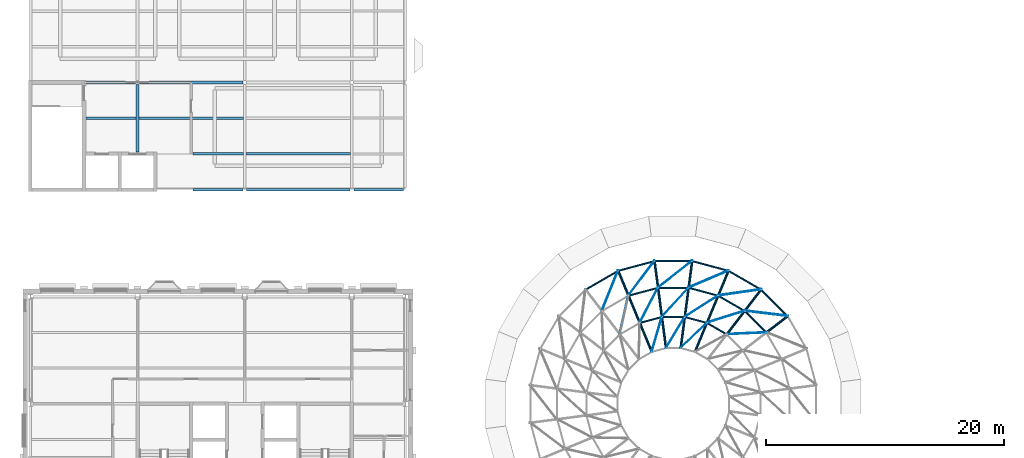
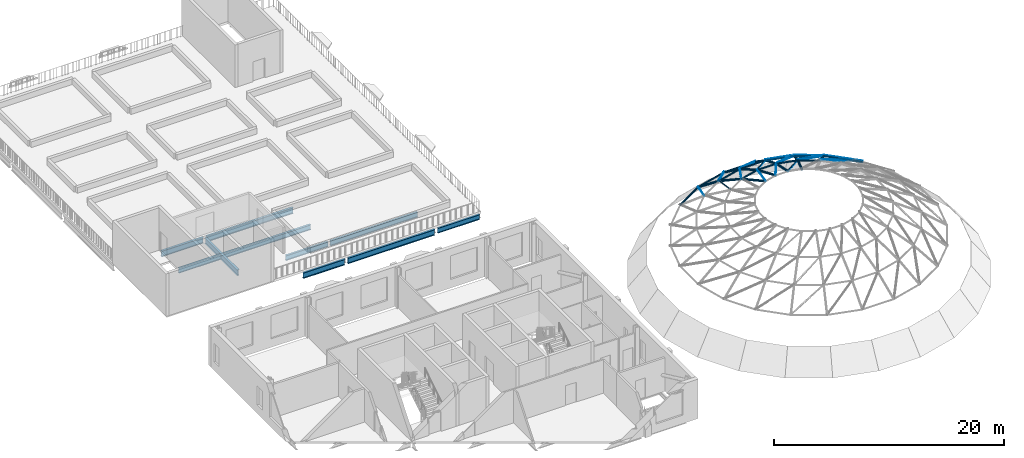
# One storey, part 6 of 33: 44 members, 25 beams.
"""IFC4 building model written with IfcOpenShell, lengths in metres."""

from ifc_helpers import new_model, si_unit, direction, frame, origin, origin_2d, place, context, subcontext, project, spatial, rectangle, circle, hollow_circle, i_section, extrude, material, material_profile, profile_set, type_object, element, save


model = new_model("IFC4")

# Units and contexts
model_context = context("Model", 3, precision=1e-05, world=origin(), true_north=direction((0.0, 1.0)))
body_context = subcontext(model_context, "Body", "Model", "MODEL_VIEW")
ifc_project = project(units=[si_unit("LENGTHUNIT", "METRE"), si_unit("AREAUNIT", "SQUARE_METRE"), si_unit("VOLUMEUNIT", "CUBIC_METRE"), si_unit("PLANEANGLEUNIT", "RADIAN"), si_unit("MASSUNIT", "GRAM", prefix="KILO")], contexts=[model_context])

# Site, building, storey
site_placement = place(None, origin())
site = spatial("IfcSite", under=ifc_project, at=site_placement, CompositionType="ELEMENT")
building_placement = place(site_placement, origin())
building = spatial("IfcBuilding", under=site, at=building_placement, Name="Hortulan Conservatory and Botanical Research Centre", CompositionType="ELEMENT")
storey_placement = place(building_placement, frame((0.0, 0.0, 19.199951171875)))
storey = spatial("IfcBuildingStorey", under=building, at=storey_placement, Name="L04", CompositionType="ELEMENT", Elevation=19.199951171875)

# Members
ifc_material_1 = material(Name="Steel Grade 300PLUS (AS/NZS 3679.1, 280 MPa minimum yield)", Category="steel")
ifc_material_profile_1 = material_profile(ifc_material_1, circle(Radius=0.011962890625, at=origin_2d()), Name="24 dia rod")
ifc_profile_set_1 = profile_set([ifc_material_profile_1], Name="Steel Grade 300PLUS (AS/NZS 3679.1, 280 MPa minimum yield)")
member_type_1 = type_object("IfcMemberType", Name="Dome Diagonal Rod 24 dia rod", PredefinedType="BRACE", material=ifc_profile_set_1)
for number, where, z_axis, x_axis, name in (
    (1, (63.599609375, 25.365966796875, 0.4365234375), (-0.907612681424, 0.110344688701, 0.405047244398), (-0.120688177707, -0.992690467246, 0.0), "Dome diagonal rod row 5 panel 03"),
    (2, (61.365966796875, 27.599609375, 0.4365234375), (-0.905233473745, -0.128389723869, 0.40505362215), (0.140425152108, -0.990091297131, 0.0), "Dome diagonal rod row 5 panel 04"),
):
    element("IfcMember", number, at=place(storey_placement, frame(where, z_axis=z_axis, x_axis=x_axis)), inside=storey, type_object=member_type_1, Name=name, PredefinedType="BRACE", context=body_context, shape_type="SweptSolid", body=[
        extrude(circle(Radius=0.011962890625, at=origin_2d()), origin(), (0.0, 0.0, 1.0), 3.97802734375),
    ])
for number, where, z_axis, x_axis, name in (
    (3, (58.630615234375, 29.178955078125, 0.4365234375), (-0.841182919809, -0.35827138585, 0.405034454712), (0.39185259607, -0.920028012048, 0.0), "Dome diagonal rod row 5 panel 05"),
    (4, (55.579345703125, 29.99658203125, 0.4365234375), (-0.719786759049, -0.563788980765, 0.405029636774), (0.616632164217, -0.787251404605, 0.0), "Dome diagonal rod row 5 panel 06"),
):
    element("IfcMember", number, at=place(storey_placement, frame(where, z_axis=z_axis, x_axis=x_axis)), inside=storey, type_object=member_type_1, Name=name, PredefinedType="BRACE", context=body_context, shape_type="SweptSolid", body=[
        extrude(circle(Radius=0.011962890625, at=origin_2d()), origin(), (0.0, 0.0, 1.0), 3.978271484375),
    ])
member_1_placement = place(storey_placement, frame((52.420654296875, 29.99658203125, 0.4365234375), z_axis=(-0.549350926375, -0.730872378589, 0.405017439016), x_axis=(0.799371340181, -0.600837299522, 0.0)))
element("IfcMember", 5, at=member_1_placement, inside=storey, type_object=member_type_1, Name="Dome diagonal rod row 5 panel 07", PredefinedType="BRACE", context=body_context, shape_type="SweptSolid", body=[
    extrude(circle(Radius=0.011962890625, at=origin_2d()), origin(), (0.0, 0.0, 1.0), 3.978515625),
])
member_2_placement = place(storey_placement, frame((49.369384765625, 29.178955078125, 0.4365234375), z_axis=(-0.341465062104, -0.848139316729, 0.405044825645), x_axis=(0.927641101877, -0.373472871986, 0.0)))
element("IfcMember", 6, at=member_2_placement, inside=storey, type_object=member_type_1, Name="Dome diagonal rod row 5 panel 08", PredefinedType="BRACE", context=body_context, shape_type="SweptSolid", body=[
    extrude(circle(Radius=0.011962890625, at=origin_2d()), origin(), (0.0, 0.0, 1.0), 3.97802734375),
])
member_3_placement = place(storey_placement, frame((61.804931640625, 23.989013671875, 2.0478515625), z_axis=(-0.933905695873, -0.041183552662, 0.355139502458), x_axis=(0.044055376623, -0.999029090563, 0.0)))
element("IfcMember", 7, at=member_3_placement, inside=storey, type_object=member_type_1, Name="Dome diagonal rod row 6 panel 03", PredefinedType="BRACE", context=body_context, shape_type="SweptSolid", body=[
    extrude(circle(Radius=0.011962890625, at=origin_2d()), origin(), (0.0, 0.0, 1.0), 3.556884765625),
])
member_4_placement = place(storey_placement, frame((59.989013671875, 25.804931640625, 2.0478515625), z_axis=(-0.891438110502, -0.281474260176, 0.355120171215), x_axis=(0.301099743086, -0.953592651353, 0.0)))
element("IfcMember", 8, at=member_4_placement, inside=storey, type_object=member_type_1, Name="Dome diagonal rod row 6 panel 04", PredefinedType="BRACE", context=body_context, shape_type="SweptSolid", body=[
    extrude(circle(Radius=0.011962890625, at=origin_2d()), origin(), (0.0, 0.0, 1.0), 3.55712890625),
])
member_5_placement = place(storey_placement, frame((57.764892578125, 27.0888671875, 2.0478515625), z_axis=(-0.788260512259, -0.502512644571, 0.355142797843), x_axis=(0.537554728332, -0.8432288622, 0.0)))
element("IfcMember", 9, at=member_5_placement, inside=storey, type_object=member_type_1, Name="Dome diagonal rod row 6 panel 05", PredefinedType="BRACE", context=body_context, shape_type="SweptSolid", body=[
    extrude(circle(Radius=0.011962890625, at=origin_2d()), origin(), (0.0, 0.0, 1.0), 3.556884765625),
])
member_6_placement = place(storey_placement, frame((55.2841796875, 27.753662109375, 2.0478515625), z_axis=(-0.631299747898, -0.689439455028, 0.355153299513), x_axis=(0.737519791221, -0.675325519699, 0.0)))
element("IfcMember", 10, at=member_6_placement, inside=storey, type_object=member_type_1, Name="Dome diagonal rod row 6 panel 06", PredefinedType="BRACE", context=body_context, shape_type="SweptSolid", body=[
    extrude(circle(Radius=0.011962890625, at=origin_2d()), origin(), (0.0, 0.0, 1.0), 3.556640625),
])
member_7_placement = place(storey_placement, frame((52.7158203125, 27.753662109375, 2.0478515625), z_axis=(-0.431268825249, -0.82938424566, 0.355146411243), x_axis=(0.887221610025, -0.461343488851, 0.0)))
element("IfcMember", 11, at=member_7_placement, inside=storey, type_object=member_type_1, Name="Dome diagonal rod row 6 panel 07", PredefinedType="BRACE", context=body_context, shape_type="SweptSolid", body=[
    extrude(circle(Radius=0.011962890625, at=origin_2d()), origin(), (0.0, 0.0, 1.0), 3.556884765625),
])
member_8_placement = place(storey_placement, frame((56.818115234375, 24.8037109375, 3.31103515625), z_axis=(-0.692711127474, -0.664732116111, 0.279790113627), x_axis=(0.692385153858, -0.721528099742, 0.0)))
element("IfcMember", 12, at=member_8_placement, inside=storey, type_object=member_type_1, Name="Dome diagonal rod row 7 panel 05", PredefinedType="BRACE", context=body_context, shape_type="SweptSolid", body=[
    extrude(circle(Radius=0.011962890625, at=origin_2d()), origin(), (0.0, 0.0, 1.0), 3.17626953125),
])
for number, where, z_axis, x_axis, name in (
    (13, (54.961181640625, 25.301513671875, 3.31103515625), (-0.497102448297, -0.821356503549, 0.279754624583), (0.855515942955, -0.517776468516, 0.0), "Dome diagonal rod row 7 panel 06"),
    (14, (53.038818359375, 25.301513671875, 3.31103515625), (-0.267626173194, -0.922011365203, 0.279770037457), (0.960361437654, -0.278757796425, 0.0), "Dome diagonal rod row 7 panel 07"),
):
    element("IfcMember", number, at=place(storey_placement, frame(where, z_axis=z_axis, x_axis=x_axis)), inside=storey, type_object=member_type_1, Name=name, PredefinedType="BRACE", context=body_context, shape_type="SweptSolid", body=[
        extrude(circle(Radius=0.011962890625, at=origin_2d()), origin(), (0.0, 0.0, 1.0), 3.176513671875),
    ])
ifc_material_2 = material(Name="Bronze-finished aluminium", Category="aluminium")
ifc_material_profile_2 = material_profile(ifc_material_2, rectangle(XDim=0.050048828125, YDim=0.050048828125, at=origin_2d()), Name="Square bar 50x50")
ifc_profile_set_2 = profile_set([ifc_material_profile_2], Name="Bronze-finished aluminium")
member_type_2 = type_object("IfcMemberType", Name="Dome Glazing Bar 50x50", PredefinedType="MEMBER", material=ifc_profile_set_2)
for number, where, z_axis, x_axis, name in (
    (15, (63.63525390625, 25.393310546875, 0.49072265625), (-0.907600541437, 0.110362367104, 0.405069629953), (-0.120708822591, -0.992687957089, 0.0), "Dome glazing bar row 5 panel 03"),
    (16, (61.393310546875, 27.63525390625, 0.49072265625), (-0.905230422477, -0.128340334804, 0.405076092463), (0.140372661683, -0.990098740456, 0.0), "Dome glazing bar row 5 panel 04"),
):
    element("IfcMember", number, at=place(storey_placement, frame(where, z_axis=z_axis, x_axis=x_axis)), inside=storey, type_object=member_type_2, Name=name, PredefinedType="MEMBER", context=body_context, shape_type="SweptSolid", body=[
        extrude(rectangle(XDim=0.050048828125, YDim=0.050048828125, at=origin_2d()), origin(), (0.0, 0.0, 1.0), 3.992919921875),
    ])
member_9_placement = place(storey_placement, frame((58.647705078125, 29.220458984375, 0.49072265625), z_axis=(-0.841168557363, -0.358282290024, 0.405054636759), x_axis=(0.391868354359, -0.920021300217, 0.0)))
element("IfcMember", 17, at=member_9_placement, inside=storey, type_object=member_type_2, Name="Dome glazing bar row 5 panel 05", PredefinedType="MEMBER", context=body_context, shape_type="SweptSolid", body=[
    extrude(rectangle(XDim=0.050048828125, YDim=0.050048828125, at=origin_2d()), origin(), (0.0, 0.0, 1.0), 3.9931640625),
])
for number, where, z_axis, x_axis, name in (
    (18, (55.585205078125, 30.041015625, 0.49072265625), (-0.719764512517, -0.563791077974, 0.405066250036), (0.616645397645, -0.787241039049, 0.0), "Dome glazing bar row 5 panel 06"),
    (19, (52.414794921875, 30.041015625, 0.49072265625), (-0.549364003386, -0.730834494432, 0.405068060371), (0.799349511516, -0.600866339912, 0.0), "Dome glazing bar row 5 panel 07"),
    (20, (49.352294921875, 29.220458984375, 0.49072265625), (-0.341484848384, -0.848117516908, 0.405073790608), (0.927630278138, -0.373499755129, 0.0), "Dome glazing bar row 5 panel 08"),
):
    element("IfcMember", number, at=place(storey_placement, frame(where, z_axis=z_axis, x_axis=x_axis)), inside=storey, type_object=member_type_2, Name=name, PredefinedType="MEMBER", context=body_context, shape_type="SweptSolid", body=[
        extrude(rectangle(XDim=0.050048828125, YDim=0.050048828125, at=origin_2d()), origin(), (0.0, 0.0, 1.0), 3.992919921875),
    ])
for number, where, z_axis, x_axis, name in (
    (21, (61.8330078125, 24.010498046875, 2.10595703125), (-0.933875116682, -0.041171206169, 0.35522133695), (0.044043634142, -0.999029608316, 0.0), "Dome glazing bar row 6 panel 03"),
    (22, (60.010498046875, 25.8330078125, 2.10595703125), (-0.891410841229, -0.281429769193, 0.355223869061), (0.301064838833, -0.953603671773, 0.0), "Dome glazing bar row 6 panel 04"),
    (23, (57.7783203125, 27.12158203125, 2.10595703125), (-0.788207885836, -0.502538095021, 0.355223579959), (0.537599605179, -0.843200251726, 0.0), "Dome glazing bar row 6 panel 05"),
    (24, (55.288818359375, 27.788818359375, 2.10595703125), (-0.631249139426, -0.689449899735, 0.35522297185), (0.737551851159, -0.675290505525, 0.0), "Dome glazing bar row 6 panel 06"),
):
    element("IfcMember", number, at=place(storey_placement, frame(where, z_axis=z_axis, x_axis=x_axis)), inside=storey, type_object=member_type_2, Name=name, PredefinedType="MEMBER", context=body_context, shape_type="SweptSolid", body=[
        extrude(rectangle(XDim=0.050048828125, YDim=0.050048828125, at=origin_2d()), origin(), (0.0, 0.0, 1.0), 3.56982421875),
    ])
for number, where, z_axis, x_axis, name in (
    (25, (52.711181640625, 27.788818359375, 2.10595703125), (-0.431287858806, -0.829336596238, 0.35523456052), (0.887202425758, -0.461380380738, 0.0), "Dome glazing bar row 6 panel 07"),
    (26, (50.2216796875, 27.12158203125, 2.10595703125), (-0.20196352053, -0.912700027592, 0.355231468214), (0.976381199364, -0.216054978023, 0.0), "Dome glazing bar row 6 panel 08"),
):
    element("IfcMember", number, at=place(storey_placement, frame(where, z_axis=z_axis, x_axis=x_axis)), inside=storey, type_object=member_type_2, Name=name, PredefinedType="MEMBER", context=body_context, shape_type="SweptSolid", body=[
        extrude(rectangle(XDim=0.050048828125, YDim=0.050048828125, at=origin_2d()), origin(), (0.0, 0.0, 1.0), 3.569580078125),
    ])
member_10_placement = place(storey_placement, frame((56.828125, 24.82763671875, 3.37255859375), z_axis=(-0.692749811992, -0.664715045164, 0.279734886488), x_axis=(0.692355767093, -0.721556298409, 0.0)))
element("IfcMember", 27, at=member_10_placement, inside=storey, type_object=member_type_2, Name="Dome glazing bar row 7 panel 05", PredefinedType="MEMBER", context=body_context, shape_type="SweptSolid", body=[
    extrude(rectangle(XDim=0.050048828125, YDim=0.050048828125, at=origin_2d()), origin(), (0.0, 0.0, 1.0), 3.187255859375),
])
member_11_placement = place(storey_placement, frame((54.964599609375, 25.326904296875, 3.37255859375), z_axis=(-0.497175127803, -0.821323200651, 0.279723242449), x_axis=(0.85547310737, -0.51784723864, 0.0)))
element("IfcMember", 28, at=member_11_placement, inside=storey, type_object=member_type_2, Name="Dome glazing bar row 7 panel 06", PredefinedType="MEMBER", context=body_context, shape_type="SweptSolid", body=[
    extrude(rectangle(XDim=0.050048828125, YDim=0.050048828125, at=origin_2d()), origin(), (0.0, 0.0, 1.0), 3.1875),
])
member_12_placement = place(storey_placement, frame((53.035400390625, 25.326904296875, 3.37255859375), z_axis=(-0.267635755539, -0.922018199606, 0.279738345515), x_axis=(0.960359318837, -0.278765095955, 0.0)))
element("IfcMember", 29, at=member_12_placement, inside=storey, type_object=member_type_2, Name="Dome glazing bar row 7 panel 07", PredefinedType="MEMBER", context=body_context, shape_type="SweptSolid", body=[
    extrude(rectangle(XDim=0.050048828125, YDim=0.050048828125, at=origin_2d()), origin(), (0.0, 0.0, 1.0), 3.187255859375),
])

# Beams
ifc_material_3 = material(Name="Steel Grade C350L0 (350 MPa, AS/NZS 1163)", Category="steel")
ifc_material_profile_3 = material_profile(ifc_material_3, hollow_circle(Radius=0.109619140625, WallThickness=0.00830078125, at=origin_2d()), Name="219.1x8.2CHS")
ifc_profile_set_3 = profile_set([ifc_material_profile_3], Name="Steel Grade C350L0 (350 MPa, AS/NZS 1163)")
beam_type_1 = type_object("IfcBeamType", Name="Dome Rib 219.1x8.2 CHS", PredefinedType="BEAM", material=ifc_profile_set_3)
for number, where, z_axis, x_axis, name in (
    (30, (63.599609375, 25.365966796875, 0.4365234375), (-0.646201366495, -0.495793185558, 0.580183515014), (0.608719263835, -0.793385692987, 0.0), "Dome rib 03 segment 5"),
    (31, (61.365966796875, 27.599609375, 0.4365234375), (-0.495793185558, -0.646201366495, 0.580183515014), (0.793385692987, -0.608719263835, 0.0), "Dome rib 04 segment 5"),
    (32, (59.989013671875, 25.804931640625, 2.0478515625), (-0.542171956181, -0.706546398149, 0.454798589702), (0.79334258291, -0.608775448045, 0.0), "Dome rib 04 segment 6"),
):
    element("IfcBeam", number, at=place(storey_placement, frame(where, z_axis=z_axis, x_axis=x_axis)), inside=storey, type_object=beam_type_1, Name=name, PredefinedType="BEAM", context=body_context, shape_type="SweptSolid", body=[
        extrude(hollow_circle(Radius=0.109619140625, WallThickness=0.00830078125, at=origin_2d()), origin(), (0.0, 0.0, 1.0), 2.77734375),
    ])
beam_1_placement = place(storey_placement, frame((58.630615234375, 29.178955078125, 0.4365234375), z_axis=(-0.311695059025, -0.752515905335, 0.580143087865), x_axis=(0.923882672892, -0.382675850727, 0.0)))
element("IfcBeam", 33, at=beam_1_placement, inside=storey, type_object=beam_type_1, Name="Dome rib 05 segment 5", PredefinedType="BEAM", context=body_context, shape_type="SweptSolid", body=[
    extrude(hollow_circle(Radius=0.109619140625, WallThickness=0.00830078125, at=origin_2d()), origin(), (0.0, 0.0, 1.0), 2.777587890625),
])
beam_2_placement = place(storey_placement, frame((57.764892578125, 27.0888671875, 2.0478515625), z_axis=(-0.340886017411, -0.822767695454, 0.45480769832), x_axis=(0.923845991708, -0.382764396992, 0.0)))
element("IfcBeam", 34, at=beam_2_placement, inside=storey, type_object=beam_type_1, Name="Dome rib 05 segment 6", PredefinedType="BEAM", context=body_context, shape_type="SweptSolid", body=[
    extrude(hollow_circle(Radius=0.109619140625, WallThickness=0.00830078125, at=origin_2d()), origin(), (0.0, 0.0, 1.0), 2.77734375),
])
beam_3_placement = place(storey_placement, frame((56.818115234375, 24.8037109375, 3.31103515625), z_axis=(-0.362537962993, -0.875312923744, 0.319989860644), x_axis=(0.923890175593, -0.382657736682, 0.0)))
element("IfcBeam", 35, at=beam_3_placement, inside=storey, type_object=beam_type_1, Name="Dome rib 05 segment 7", PredefinedType="BEAM", context=body_context, shape_type="SweptSolid", body=[
    extrude(hollow_circle(Radius=0.109619140625, WallThickness=0.00830078125, at=origin_2d()), origin(), (0.0, 0.0, 1.0), 2.777099609375),
])
for number, where, z_axis, x_axis, name in (
    (36, (55.579345703125, 29.99658203125, 0.4365234375), (-0.106272563533, -0.807548421154, 0.580147989509), (0.991451724101, -0.130474054037, 0.0), "Dome rib 06 segment 5"),
    (37, (55.2841796875, 27.753662109375, 2.0478515625), (-0.116302337102, -0.882948355144, 0.454836199673), (0.991436143334, -0.130592395224, 0.0), "Dome rib 06 segment 6"),
):
    element("IfcBeam", number, at=place(storey_placement, frame(where, z_axis=z_axis, x_axis=x_axis)), inside=storey, type_object=beam_type_1, Name=name, PredefinedType="BEAM", context=body_context, shape_type="SweptSolid", body=[
        extrude(hollow_circle(Radius=0.109619140625, WallThickness=0.00830078125, at=origin_2d()), origin(), (0.0, 0.0, 1.0), 2.77734375),
    ])
beam_4_placement = place(storey_placement, frame((54.961181640625, 25.301513671875, 3.31103515625), z_axis=(-0.123581580262, -0.939343064194, 0.319940933252), x_axis=(0.991456505766, -0.130437713774, 0.0)))
element("IfcBeam", 38, at=beam_4_placement, inside=storey, type_object=beam_type_1, Name="Dome rib 06 segment 7", PredefinedType="BEAM", context=body_context, shape_type="SweptSolid", body=[
    extrude(hollow_circle(Radius=0.109619140625, WallThickness=0.00830078125, at=origin_2d()), origin(), (0.0, 0.0, 1.0), 2.777587890625),
])
for number, where, z_axis, x_axis, name in (
    (39, (52.420654296875, 29.99658203125, 0.4365234375), (0.106272563533, -0.807548421154, 0.580147989509), (0.991451724101, 0.130474054037, 0.0), "Dome rib 07 segment 5"),
    (40, (52.7158203125, 27.753662109375, 2.0478515625), (0.116302337102, -0.882948355144, 0.454836199673), (0.991436143334, 0.130592395224, 0.0), "Dome rib 07 segment 6"),
):
    element("IfcBeam", number, at=place(storey_placement, frame(where, z_axis=z_axis, x_axis=x_axis)), inside=storey, type_object=beam_type_1, Name=name, PredefinedType="BEAM", context=body_context, shape_type="SweptSolid", body=[
        extrude(hollow_circle(Radius=0.109619140625, WallThickness=0.00830078125, at=origin_2d()), origin(), (0.0, 0.0, 1.0), 2.77734375),
    ])
for number, where, z_axis, x_axis, name in (
    (41, (53.038818359375, 25.301513671875, 3.31103515625), (0.123581580262, -0.939343064194, 0.319940933252), (0.991456505766, 0.130437713774, 0.0), "Dome rib 07 segment 7"),
    (42, (49.369384765625, 29.178955078125, 0.4365234375), (0.311695059025, -0.752515905335, 0.580143087865), (0.923882672892, 0.382675850727, 0.0), "Dome rib 08 segment 5"),
):
    element("IfcBeam", number, at=place(storey_placement, frame(where, z_axis=z_axis, x_axis=x_axis)), inside=storey, type_object=beam_type_1, Name=name, PredefinedType="BEAM", context=body_context, shape_type="SweptSolid", body=[
        extrude(hollow_circle(Radius=0.109619140625, WallThickness=0.00830078125, at=origin_2d()), origin(), (0.0, 0.0, 1.0), 2.777587890625),
    ])
beam_5_placement = place(storey_placement, frame((50.235107421875, 27.0888671875, 2.0478515625), z_axis=(0.340886017411, -0.822767695454, 0.45480769832), x_axis=(0.923845991708, 0.382764396992, 0.0)))
element("IfcBeam", 43, at=beam_5_placement, inside=storey, type_object=beam_type_1, Name="Dome rib 08 segment 6", PredefinedType="BEAM", context=body_context, shape_type="SweptSolid", body=[
    extrude(hollow_circle(Radius=0.109619140625, WallThickness=0.00830078125, at=origin_2d()), origin(), (0.0, 0.0, 1.0), 2.77734375),
])
beam_6_placement = place(storey_placement, frame((51.181884765625, 24.8037109375, 3.31103515625), z_axis=(0.362537962993, -0.875312923744, 0.319989860644), x_axis=(0.923890175593, 0.382657736682, 0.0)))
element("IfcBeam", 44, at=beam_6_placement, inside=storey, type_object=beam_type_1, Name="Dome rib 08 segment 7", PredefinedType="BEAM", context=body_context, shape_type="SweptSolid", body=[
    extrude(hollow_circle(Radius=0.109619140625, WallThickness=0.00830078125, at=origin_2d()), origin(), (0.0, 0.0, 1.0), 2.777099609375),
])

# Members
ifc_material_profile_4 = material_profile(ifc_material_3, hollow_circle(Radius=0.084228515625, WallThickness=0.00634765625, at=origin_2d()), Name="168.3x6.4CHS")
ifc_profile_set_4 = profile_set([ifc_material_profile_4], Name="Steel Grade C350L0 (350 MPa, AS/NZS 1163)")
member_type_3 = type_object("IfcMemberType", Name="Dome Ring 168.3x6.4 CHS", PredefinedType="PURLIN", material=ifc_profile_set_4)
member_13_placement = place(storey_placement, frame((63.599609375, 25.365966796875, 0.4365234375), z_axis=(-0.707106781187, 0.707106781187, 0.0), x_axis=(-0.707106781187, -0.707106781187, 0.0)))
element("IfcMember", 45, at=member_13_placement, inside=storey, type_object=member_type_3, Name="Dome ring 4 chord 03", PredefinedType="PURLIN", context=body_context, shape_type="SweptSolid", body=[
    extrude(hollow_circle(Radius=0.084228515625, WallThickness=0.00634765625, at=origin_2d()), origin(), (0.0, 0.0, 1.0), 3.158935546875),
])
member_14_placement = place(storey_placement, frame((61.365966796875, 27.599609375, 0.4365234375), z_axis=(-0.866013100591, 0.500021309151, 0.0), x_axis=(-0.500021309151, -0.866013100591, 0.0)))
element("IfcMember", 46, at=member_14_placement, inside=storey, type_object=member_type_3, Name="Dome ring 4 chord 04", PredefinedType="PURLIN", context=body_context, shape_type="SweptSolid", body=[
    extrude(hollow_circle(Radius=0.084228515625, WallThickness=0.00634765625, at=origin_2d()), origin(), (0.0, 0.0, 1.0), 3.158447265625),
])
member_15_placement = place(storey_placement, frame((58.630615234375, 29.178955078125, 0.4365234375), z_axis=(-0.965922522362, 0.258831375211, 0.0), x_axis=(-0.258831375211, -0.965922522362, 0.0)))
element("IfcMember", 47, at=member_15_placement, inside=storey, type_object=member_type_3, Name="Dome ring 4 chord 05", PredefinedType="PURLIN", context=body_context, shape_type="SweptSolid", body=[
    extrude(hollow_circle(Radius=0.084228515625, WallThickness=0.00634765625, at=origin_2d()), origin(), (0.0, 0.0, 1.0), 3.158935546875),
])
member_16_placement = place(storey_placement, frame((55.579345703125, 29.99658203125, 0.4365234375), z_axis=(-1.0, 0.0, 0.0), x_axis=(0.0, -1.0, 0.0)))
element("IfcMember", 48, at=member_16_placement, inside=storey, type_object=member_type_3, Name="Dome ring 4 chord 06", PredefinedType="PURLIN", context=body_context, shape_type="SweptSolid", body=[
    extrude(hollow_circle(Radius=0.084228515625, WallThickness=0.00634765625, at=origin_2d()), origin(), (0.0, 0.0, 1.0), 3.15869140625),
])
member_17_placement = place(storey_placement, frame((52.420654296875, 29.99658203125, 0.4365234375), z_axis=(-0.965922522362, -0.258831375211, 0.0), x_axis=(0.258831375211, -0.965922522362, 0.0)))
element("IfcMember", 49, at=member_17_placement, inside=storey, type_object=member_type_3, Name="Dome ring 4 chord 07", PredefinedType="PURLIN", context=body_context, shape_type="SweptSolid", body=[
    extrude(hollow_circle(Radius=0.084228515625, WallThickness=0.00634765625, at=origin_2d()), origin(), (0.0, 0.0, 1.0), 3.158935546875),
])
member_18_placement = place(storey_placement, frame((49.369384765625, 29.178955078125, 0.4365234375), z_axis=(-0.866013100591, -0.500021309151, 0.0), x_axis=(0.500021309151, -0.866013100591, 0.0)))
element("IfcMember", 50, at=member_18_placement, inside=storey, type_object=member_type_3, Name="Dome ring 4 chord 08", PredefinedType="PURLIN", context=body_context, shape_type="SweptSolid", body=[
    extrude(hollow_circle(Radius=0.084228515625, WallThickness=0.00634765625, at=origin_2d()), origin(), (0.0, 0.0, 1.0), 3.158447265625),
])
for number, where, z_axis, x_axis, name in (
    (51, (61.804931640625, 23.989013671875, 2.0478515625), (-0.707106781187, 0.707106781187, 0.0), (-0.707106781187, -0.707106781187, 0.0), "Dome ring 5 chord 03"),
    (52, (59.989013671875, 25.804931640625, 2.0478515625), (-0.866052610505, 0.499952873616, 0.0), (-0.499952873616, -0.866052610505, 0.0), "Dome ring 5 chord 04"),
):
    element("IfcMember", number, at=place(storey_placement, frame(where, z_axis=z_axis, x_axis=x_axis)), inside=storey, type_object=member_type_3, Name=name, PredefinedType="PURLIN", context=body_context, shape_type="SweptSolid", body=[
        extrude(hollow_circle(Radius=0.084228515625, WallThickness=0.00634765625, at=origin_2d()), origin(), (0.0, 0.0, 1.0), 2.568115234375),
    ])
for number, where, z_axis, x_axis, name in (
    (53, (57.764892578125, 27.0888671875, 2.0478515625), (-0.965917074027, 0.258851706779, 0.0), (-0.258851706779, -0.965917074027, 0.0), "Dome ring 5 chord 05"),
    (54, (55.2841796875, 27.753662109375, 2.0478515625), (-1.0, 0.0, 0.0), (0.0, -1.0, 0.0), "Dome ring 5 chord 06"),
    (55, (52.7158203125, 27.753662109375, 2.0478515625), (-0.965917074027, -0.258851706779, 0.0), (0.258851706779, -0.965917074027, 0.0), "Dome ring 5 chord 07"),
):
    element("IfcMember", number, at=place(storey_placement, frame(where, z_axis=z_axis, x_axis=x_axis)), inside=storey, type_object=member_type_3, Name=name, PredefinedType="PURLIN", context=body_context, shape_type="SweptSolid", body=[
        extrude(hollow_circle(Radius=0.084228515625, WallThickness=0.00634765625, at=origin_2d()), origin(), (0.0, 0.0, 1.0), 2.568359375),
    ])
for number, where, z_axis, x_axis, name in (
    (56, (58.483154296875, 23.842529296875, 3.31103515625), (-0.866054481515, 0.499949632511, 0.0), (-0.499949632511, -0.866054481515, 0.0), "Dome ring 6 chord 04"),
    (57, (56.818115234375, 24.8037109375, 3.31103515625), (-0.965894755949, 0.258934973361, 0.0), (-0.258934973361, -0.965894755949, 0.0), "Dome ring 6 chord 05"),
):
    element("IfcMember", number, at=place(storey_placement, frame(where, z_axis=z_axis, x_axis=x_axis)), inside=storey, type_object=member_type_3, Name=name, PredefinedType="PURLIN", context=body_context, shape_type="SweptSolid", body=[
        extrude(hollow_circle(Radius=0.084228515625, WallThickness=0.00634765625, at=origin_2d()), origin(), (0.0, 0.0, 1.0), 1.922607421875),
    ])
member_19_placement = place(storey_placement, frame((54.961181640625, 25.301513671875, 3.31103515625), z_axis=(-1.0, 0.0, 0.0), x_axis=(0.0, -1.0, 0.0)))
element("IfcMember", 58, at=member_19_placement, inside=storey, type_object=member_type_3, Name="Dome ring 6 chord 06", PredefinedType="PURLIN", context=body_context, shape_type="SweptSolid", body=[
    extrude(hollow_circle(Radius=0.084228515625, WallThickness=0.00634765625, at=origin_2d()), origin(), (0.0, 0.0, 1.0), 1.92236328125),
])
member_20_placement = place(storey_placement, frame((53.038818359375, 25.301513671875, 3.31103515625), z_axis=(-0.965894755949, -0.258934973361, 0.0), x_axis=(0.258934973361, -0.965894755949, 0.0)))
element("IfcMember", 59, at=member_20_placement, inside=storey, type_object=member_type_3, Name="Dome ring 6 chord 07", PredefinedType="PURLIN", context=body_context, shape_type="SweptSolid", body=[
    extrude(hollow_circle(Radius=0.084228515625, WallThickness=0.00634765625, at=origin_2d()), origin(), (0.0, 0.0, 1.0), 1.922607421875),
])

# Beams
ifc_material_profile_5 = material_profile(ifc_material_1, i_section(OverallWidth=0.208984375, OverallDepth=0.528076171875, WebThickness=0.009521484375, FlangeThickness=0.01318359375, FilletRadius=0.013916015625, at=origin_2d()), Name="530UB82.0")
ifc_profile_set_5 = profile_set([ifc_material_profile_5], Name="Steel Grade 300PLUS (AS/NZS 3679.1, 280 MPa minimum yield)")
beam_type_2 = type_object("IfcBeamType", Name="Primary Beam 530UB82.0", PredefinedType="BEAM", material=ifc_profile_set_5)
beam_7_placement = place(storey_placement, frame((27.157470703125, 36.0, -0.513916015625), z_axis=(1.0, 0.0, 0.0), x_axis=(0.0, 1.0, 0.0)))
element("IfcBeam", 60, at=beam_7_placement, inside=storey, type_object=beam_type_2, Name="530UB82.0 girder", PredefinedType="BEAM", context=body_context, shape_type="SweptSolid", body=[
    extrude(i_section(OverallWidth=0.208984375, OverallDepth=0.528076171875, WebThickness=0.009521484375, FlangeThickness=0.01318359375, FilletRadius=0.013916015625, at=origin_2d()), origin(), (0.0, 0.0, 1.0), 4.18896484375),
])
ifc_material_profile_6 = material_profile(ifc_material_1, i_section(OverallWidth=0.22802734375, OverallDepth=0.60693359375, WebThickness=0.01123046875, FlangeThickness=0.017333984375, FilletRadius=0.013916015625, at=origin_2d()), Name="610UB113")
ifc_profile_set_6 = profile_set([ifc_material_profile_6], Name="Steel Grade 300PLUS (AS/NZS 3679.1, 280 MPa minimum yield)")
beam_type_3 = type_object("IfcBeamType", Name="Primary Beam 610UB113", PredefinedType="BEAM", material=ifc_profile_set_6)
beam_8_placement = place(storey_placement, frame((13.64990234375, 36.0, -0.553466796875), z_axis=(1.0, 0.0, 0.0), x_axis=(0.0, 1.0, 0.0)))
element("IfcBeam", 61, at=beam_8_placement, inside=storey, type_object=beam_type_3, Name="610UB113 girder", PredefinedType="BEAM", context=body_context, shape_type="SweptSolid", body=[
    extrude(i_section(OverallWidth=0.22802734375, OverallDepth=0.60693359375, WebThickness=0.01123046875, FlangeThickness=0.017333984375, FilletRadius=0.013916015625, at=origin_2d()), origin(), (0.0, 0.0, 1.0), 4.192626953125),
])
beam_9_placement = place(storey_placement, frame((18.157470703125, 36.0, -0.553466796875), z_axis=(1.0, 0.0, 0.0), x_axis=(0.0, 1.0, 0.0)))
element("IfcBeam", 62, at=beam_9_placement, inside=storey, type_object=beam_type_3, Name="610UB113 girder", PredefinedType="BEAM", context=body_context, shape_type="SweptSolid", body=[
    extrude(i_section(OverallWidth=0.22802734375, OverallDepth=0.60693359375, WebThickness=0.01123046875, FlangeThickness=0.017333984375, FilletRadius=0.013916015625, at=origin_2d()), origin(), (0.0, 0.0, 1.0), 8.68505859375),
])
ifc_material_profile_7 = material_profile(ifc_material_1, i_section(OverallWidth=0.22900390625, OverallDepth=0.612060546875, WebThickness=0.011962890625, FlangeThickness=0.01953125, FilletRadius=0.013916015625, at=origin_2d()), Name="610UB125")
ifc_profile_set_7 = profile_set([ifc_material_profile_7], Name="Steel Grade 300PLUS (AS/NZS 3679.1, 280 MPa minimum yield)")
beam_type_4 = type_object("IfcBeamType", Name="Primary Beam 610UB125", PredefinedType="BEAM", material=ifc_profile_set_7)
beam_10_placement = place(storey_placement, frame((4.64990234375, 45.0, -0.555908203125), z_axis=(1.0, 0.0, 0.0), x_axis=(0.0, 1.0, 0.0)))
element("IfcBeam", 63, at=beam_10_placement, inside=storey, type_object=beam_type_4, Name="610UB125 girder", PredefinedType="BEAM", context=body_context, shape_type="SweptSolid", body=[
    extrude(i_section(OverallWidth=0.22900390625, OverallDepth=0.612060546875, WebThickness=0.011962890625, FlangeThickness=0.01953125, FilletRadius=0.013916015625, at=origin_2d()), origin(), (0.0, 0.0, 1.0), 4.196533203125),
])
beam_11_placement = place(storey_placement, frame((9.0, 39.14990234375, -0.555908203125), z_axis=(0.0, 1.0, 0.0), x_axis=(-1.0, 0.0, 0.0)))
element("IfcBeam", 64, at=beam_11_placement, inside=storey, type_object=beam_type_4, Name="610UB125 girder", PredefinedType="BEAM", context=body_context, shape_type="SweptSolid", body=[
    extrude(i_section(OverallWidth=0.22900390625, OverallDepth=0.612060546875, WebThickness=0.011962890625, FlangeThickness=0.01953125, FilletRadius=0.013916015625, at=origin_2d()), origin(), (0.0, 0.0, 1.0), 5.692626953125),
])
beam_12_placement = place(storey_placement, frame((9.153564453125, 45.0, -0.555908203125), z_axis=(1.0, 0.0, 0.0), x_axis=(0.0, 1.0, 0.0)))
element("IfcBeam", 65, at=beam_12_placement, inside=storey, type_object=beam_type_4, Name="610UB125 girder", PredefinedType="BEAM", context=body_context, shape_type="SweptSolid", body=[
    extrude(i_section(OverallWidth=0.22900390625, OverallDepth=0.612060546875, WebThickness=0.011962890625, FlangeThickness=0.01953125, FilletRadius=0.013916015625, at=origin_2d()), origin(), (0.0, 0.0, 1.0), 8.69287109375),
])
ifc_material_profile_8 = material_profile(ifc_material_1, i_section(OverallWidth=0.208984375, OverallDepth=0.528076171875, WebThickness=0.009521484375, FlangeThickness=0.01318359375, FilletRadius=0.013916015625, at=origin_2d()), Name="530UB82.0")
ifc_profile_set_8 = profile_set([ifc_material_profile_8], Name="Steel Grade 300PLUS (AS/NZS 3679.1, 280 MPa minimum yield)")
beam_type_5 = type_object("IfcBeamType", Name="Secondary Beam 530UB82.0", PredefinedType="JOIST", material=ifc_profile_set_8)
for number, where, z_axis, x_axis, name in (
    (66, (4.64990234375, 42.0, -0.513916015625), (1.0, 0.0, 0.0), (0.0, 1.0, 0.0), "530UB82.0 secondary beam"),
    (67, (13.64990234375, 39.0, -0.513916015625), (1.0, 0.0, 0.0), (0.0, 1.0, 0.0), "530UB82.0 secondary beam"),
):
    element("IfcBeam", number, at=place(storey_placement, frame(where, z_axis=z_axis, x_axis=x_axis)), inside=storey, type_object=beam_type_5, Name=name, PredefinedType="JOIST", context=body_context, shape_type="SweptSolid", body=[
        extrude(i_section(OverallWidth=0.208984375, OverallDepth=0.528076171875, WebThickness=0.009521484375, FlangeThickness=0.01318359375, FilletRadius=0.013916015625, at=origin_2d()), origin(), (0.0, 0.0, 1.0), 4.235595703125),
    ])
for number, where, z_axis, x_axis, name in (
    (68, (9.114501953125, 42.0, -0.513916015625), (1.0, 0.0, 0.0), (0.0, 1.0, 0.0), "530UB82.0 secondary beam"),
    (69, (18.114501953125, 39.0, -0.513916015625), (1.0, 0.0, 0.0), (0.0, 1.0, 0.0), "530UB82.0 secondary beam"),
):
    element("IfcBeam", number, at=place(storey_placement, frame(where, z_axis=z_axis, x_axis=x_axis)), inside=storey, type_object=beam_type_5, Name=name, PredefinedType="JOIST", context=body_context, shape_type="SweptSolid", body=[
        extrude(i_section(OverallWidth=0.208984375, OverallDepth=0.528076171875, WebThickness=0.009521484375, FlangeThickness=0.01318359375, FilletRadius=0.013916015625, at=origin_2d()), origin(), (0.0, 0.0, 1.0), 8.77099609375),
    ])

save(model, "model.ifc")
